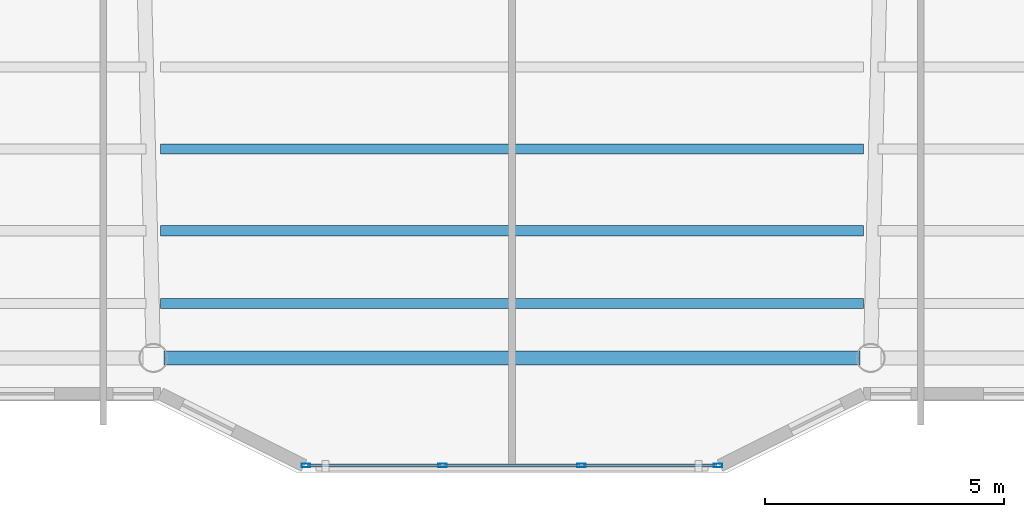
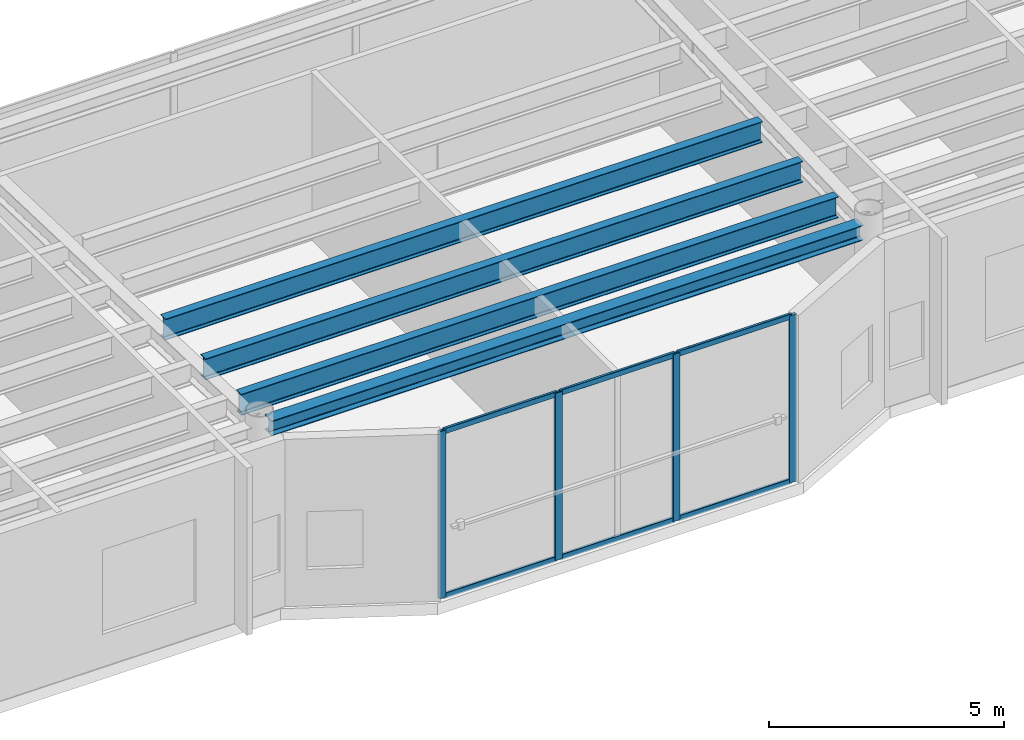
# One storey, part 5 of 34: 10 members, 4 beams, 1 element without a shape of its own.
"""IFC4 building model written with IfcOpenShell, lengths in metres."""

from ifc_helpers import new_model, si_unit, direction, frame, origin, origin_2d, place, context, subcontext, project, spatial, hollow_rectangle, i_section, extrude, material, layer, layer_set, material_profile, profile_set, type_object, element, aggregate, save


model = new_model("IFC4")

# Units and contexts
model_context = context("Model", 3, precision=1e-05, world=origin(), true_north=direction((0.0, 1.0)))
body_context = subcontext(model_context, "Body", "Model", "MODEL_VIEW")
ifc_project = project(units=[si_unit("LENGTHUNIT", "METRE"), si_unit("AREAUNIT", "SQUARE_METRE"), si_unit("VOLUMEUNIT", "CUBIC_METRE"), si_unit("PLANEANGLEUNIT", "RADIAN"), si_unit("MASSUNIT", "GRAM", prefix="KILO")], contexts=[model_context])

# Site, building, storey
site_placement = place(None, origin())
site = spatial("IfcSite", under=ifc_project, at=site_placement, CompositionType="ELEMENT")
building_placement = place(site_placement, origin())
building = spatial("IfcBuilding", under=site, at=building_placement, Name="Tarnavaz Court Tower", CompositionType="ELEMENT")
storey_placement = place(building_placement, frame((0.0, 0.0, 231.75)))
storey = spatial("IfcBuildingStorey", under=building, at=storey_placement, Name="L63", CompositionType="ELEMENT", Elevation=231.75)

# Beams
ifc_material_1 = material(Name="Steel S355", Category="steel")
ifc_material_profile_1 = material_profile(ifc_material_1, i_section(OverallWidth=0.2099609375, OverallDepth=0.550048828125, WebThickness=0.010986328125, FlangeThickness=0.01708984375, FilletRadius=0.02392578125, at=origin_2d()), Name="IPE 550")
ifc_profile_set_1 = profile_set([ifc_material_profile_1], Name="Steel S355")
beam_type_1 = type_object("IfcBeamType", Name="BM-J-IPE550", PredefinedType="JOIST", material=ifc_profile_set_1)
for number, where, z_axis, x_axis, name in (
    (1, (-7.35009765625, -15.72998046875, 4.074951171875), (1.0, 0.0, 0.0), (0.0, 1.0, 0.0), "L63 Beam JS3-2"),
    (2, (-7.35009765625, -17.43994140625, 4.074951171875), (1.0, 0.0, 0.0), (0.0, 1.0, 0.0), "L63 Beam JS4-2"),
    (3, (-7.35009765625, -18.9599609375, 4.074951171875), (1.0, 0.0, 0.0), (0.0, 1.0, 0.0), "L63 Beam JS5-2"),
):
    element("IfcBeam", number, at=place(storey_placement, frame(where, z_axis=z_axis, x_axis=x_axis)), inside=storey, type_object=beam_type_1, Name=name, PredefinedType="JOIST", context=body_context, shape_type="SweptSolid", body=[
        extrude(i_section(OverallWidth=0.2099609375, OverallDepth=0.550048828125, WebThickness=0.010986328125, FlangeThickness=0.01708984375, FilletRadius=0.02392578125, at=origin_2d()), origin(), (0.0, 0.0, 1.0), 14.7001953125),
    ])
ifc_material_profile_2 = material_profile(ifc_material_1, i_section(OverallWidth=0.300048828125, OverallDepth=0.389892578125, WebThickness=0.010986328125, FlangeThickness=0.01904296875, FilletRadius=0.027099609375, at=origin_2d()), Name="HEA 400")
ifc_profile_set_2 = profile_set([ifc_material_profile_2], Name="Steel S355")
beam_type_2 = type_object("IfcBeamType", Name="BM-SP-HEA400", PredefinedType="BEAM", material=ifc_profile_set_2)
beam_placement = place(storey_placement, frame((-7.280029296875, -20.10009765625, 4.155029296875), z_axis=(1.0, 0.0, 0.0), x_axis=(0.0, 1.0, 0.0)))
element("IfcBeam", 4, at=beam_placement, inside=storey, type_object=beam_type_2, Name="L63 Beam PR-PS-2-PS-3", PredefinedType="BEAM", context=body_context, shape_type="SweptSolid", body=[
    extrude(i_section(OverallWidth=0.300048828125, OverallDepth=0.389892578125, WebThickness=0.010986328125, FlangeThickness=0.01904296875, FilletRadius=0.027099609375, at=origin_2d()), origin(), (0.0, 0.0, 1.0), 14.56005859375),
])

# Curtain wall, members
ifc_material_2 = material(Name="Anodised Aluminium 6063-T6 and Solar Low-E Glazing", Category="aluminium")
ifc_layer = layer(ifc_material_2, 0.159912109375)
ifc_layer_set = layer_set([ifc_layer], Name="Anodised Aluminium 6063-T6 and Solar Low-E Glazing")
curtain_wall_type = type_object("IfcCurtainWallType", Name="CW-SYS-03", PredefinedType="NOTDEFINED", material=ifc_layer_set)
curtain_wall_placement = place(storey_placement, origin())
curtain_wall = element("IfcCurtainWall", 5, at=curtain_wall_placement, inside=storey, type_object=curtain_wall_type, Name="L63 Iwan Prow Curtain Wall 17", PredefinedType="NOTDEFINED")
ifc_material_3 = material(Name="Anodised Aluminium 6063-T6", Category="aluminium")
ifc_material_profile_3 = material_profile(ifc_material_3, hollow_rectangle(XDim=0.074951171875, YDim=0.179931640625, WallThickness=0.0048828125, InnerFilletRadius=0.0048828125, OuterFilletRadius=0.010009765625, at=origin_2d()), Name="ALU RHS 180X75X5")
ifc_profile_set_3 = profile_set([ifc_material_profile_3], Name="Anodised Aluminium 6063-T6")
member_type_1 = type_object("IfcMemberType", Name="CW-MUL-180", PredefinedType="MULLION", material=ifc_profile_set_3)
member_1_placement = place(storey_placement, frame((4.3125, -22.35009765625, 0.0), z_axis=(0.0, 0.0, 1.0), x_axis=(0.0, -1.0, 0.0)))
member_1 = element("IfcMember", 6, at=member_1_placement, type_object=member_type_1, Name="CW mullion 1", PredefinedType="MULLION", context=body_context, shape_type="SweptSolid", body=[
    extrude(hollow_rectangle(XDim=0.074951171875, YDim=0.179931640625, WallThickness=0.0048828125, InnerFilletRadius=0.0048828125, OuterFilletRadius=0.010009765625, at=origin_2d()), origin(), (0.0, 0.0, 1.0), 4.35009765625),
])
member_2_placement = place(storey_placement, frame((1.449951171875, -22.35009765625, 0.0), z_axis=(0.0, 0.0, 1.0), x_axis=(0.0, -1.0, 0.0)))
member_2 = element("IfcMember", 7, at=member_2_placement, type_object=member_type_1, Name="CW mullion 2", PredefinedType="MULLION", context=body_context, shape_type="SweptSolid", body=[
    extrude(hollow_rectangle(XDim=0.074951171875, YDim=0.179931640625, WallThickness=0.0048828125, InnerFilletRadius=0.0048828125, OuterFilletRadius=0.010009765625, at=origin_2d()), origin(), (0.0, 0.0, 1.0), 4.35009765625),
])
member_3_placement = place(storey_placement, frame((-1.449951171875, -22.35009765625, 0.0), z_axis=(0.0, 0.0, 1.0), x_axis=(0.0, -1.0, 0.0)))
member_3 = element("IfcMember", 8, at=member_3_placement, type_object=member_type_1, Name="CW mullion 3", PredefinedType="MULLION", context=body_context, shape_type="SweptSolid", body=[
    extrude(hollow_rectangle(XDim=0.074951171875, YDim=0.179931640625, WallThickness=0.0048828125, InnerFilletRadius=0.0048828125, OuterFilletRadius=0.010009765625, at=origin_2d()), origin(), (0.0, 0.0, 1.0), 4.35009765625),
])
member_4_placement = place(storey_placement, frame((-4.3125, -22.35009765625, 0.0), z_axis=(0.0, 0.0, 1.0), x_axis=(0.0, -1.0, 0.0)))
member_4 = element("IfcMember", 9, at=member_4_placement, type_object=member_type_1, Name="CW mullion 4", PredefinedType="MULLION", context=body_context, shape_type="SweptSolid", body=[
    extrude(hollow_rectangle(XDim=0.074951171875, YDim=0.179931640625, WallThickness=0.0048828125, InnerFilletRadius=0.0048828125, OuterFilletRadius=0.010009765625, at=origin_2d()), origin(), (0.0, 0.0, 1.0), 4.35009765625),
])
ifc_material_profile_4 = material_profile(ifc_material_3, hollow_rectangle(XDim=0.06494140625, YDim=0.139892578125, WallThickness=0.00390625, InnerFilletRadius=0.00390625, OuterFilletRadius=0.008056640625, at=origin_2d()), Name="ALU RHS 140X65X4")
ifc_profile_set_4 = profile_set([ifc_material_profile_4], Name="Anodised Aluminium 6063-T6")
member_type_2 = type_object("IfcMemberType", Name="CW-TRN-140", PredefinedType="USERDEFINED", material=ifc_profile_set_4)
member_5_placement = place(storey_placement, frame((4.27490234375, -22.35009765625, 0.032470703125), z_axis=(-1.0, 0.0, 0.0), x_axis=(0.0, -1.0, 0.0)))
member_5 = element("IfcMember", 10, at=member_5_placement, type_object=member_type_2, Name="CW transom 1.1", ObjectType="TRANSOM", PredefinedType="USERDEFINED", context=body_context, shape_type="SweptSolid", body=[
    extrude(hollow_rectangle(XDim=0.06494140625, YDim=0.139892578125, WallThickness=0.00390625, InnerFilletRadius=0.00390625, OuterFilletRadius=0.008056640625, at=origin_2d()), origin(), (0.0, 0.0, 1.0), 2.787353515625),
])
member_6_placement = place(storey_placement, frame((4.27490234375, -22.35009765625, 4.3173828125), z_axis=(-1.0, 0.0, 0.0), x_axis=(0.0, -1.0, 0.0)))
member_6 = element("IfcMember", 11, at=member_6_placement, type_object=member_type_2, Name="CW transom 1.2", ObjectType="TRANSOM", PredefinedType="USERDEFINED", context=body_context, shape_type="SweptSolid", body=[
    extrude(hollow_rectangle(XDim=0.06494140625, YDim=0.139892578125, WallThickness=0.00390625, InnerFilletRadius=0.00390625, OuterFilletRadius=0.008056640625, at=origin_2d()), origin(), (0.0, 0.0, 1.0), 2.787353515625),
])
member_7_placement = place(storey_placement, frame((1.41259765625, -22.35009765625, 0.032470703125), z_axis=(-1.0, 0.0, 0.0), x_axis=(0.0, -1.0, 0.0)))
member_7 = element("IfcMember", 12, at=member_7_placement, type_object=member_type_2, Name="CW transom 2.1", ObjectType="TRANSOM", PredefinedType="USERDEFINED", context=body_context, shape_type="SweptSolid", body=[
    extrude(hollow_rectangle(XDim=0.06494140625, YDim=0.139892578125, WallThickness=0.00390625, InnerFilletRadius=0.00390625, OuterFilletRadius=0.008056640625, at=origin_2d()), origin(), (0.0, 0.0, 1.0), 2.8251953125),
])
member_8_placement = place(storey_placement, frame((1.41259765625, -22.35009765625, 4.3173828125), z_axis=(-1.0, 0.0, 0.0), x_axis=(0.0, -1.0, 0.0)))
member_8 = element("IfcMember", 13, at=member_8_placement, type_object=member_type_2, Name="CW transom 2.2", ObjectType="TRANSOM", PredefinedType="USERDEFINED", context=body_context, shape_type="SweptSolid", body=[
    extrude(hollow_rectangle(XDim=0.06494140625, YDim=0.139892578125, WallThickness=0.00390625, InnerFilletRadius=0.00390625, OuterFilletRadius=0.008056640625, at=origin_2d()), origin(), (0.0, 0.0, 1.0), 2.8251953125),
])
member_9_placement = place(storey_placement, frame((-1.487548828125, -22.35009765625, 0.032470703125), z_axis=(-1.0, 0.0, 0.0), x_axis=(0.0, -1.0, 0.0)))
member_9 = element("IfcMember", 14, at=member_9_placement, type_object=member_type_2, Name="CW transom 3.1", ObjectType="TRANSOM", PredefinedType="USERDEFINED", context=body_context, shape_type="SweptSolid", body=[
    extrude(hollow_rectangle(XDim=0.06494140625, YDim=0.139892578125, WallThickness=0.00390625, InnerFilletRadius=0.00390625, OuterFilletRadius=0.008056640625, at=origin_2d()), origin(), (0.0, 0.0, 1.0), 2.787353515625),
])
member_10_placement = place(storey_placement, frame((-1.487548828125, -22.35009765625, 4.3173828125), z_axis=(-1.0, 0.0, 0.0), x_axis=(0.0, -1.0, 0.0)))
member_10 = element("IfcMember", 15, at=member_10_placement, type_object=member_type_2, Name="CW transom 3.2", ObjectType="TRANSOM", PredefinedType="USERDEFINED", context=body_context, shape_type="SweptSolid", body=[
    extrude(hollow_rectangle(XDim=0.06494140625, YDim=0.139892578125, WallThickness=0.00390625, InnerFilletRadius=0.00390625, OuterFilletRadius=0.008056640625, at=origin_2d()), origin(), (0.0, 0.0, 1.0), 2.787353515625),
])
aggregate(curtain_wall, [member_1, member_2, member_3, member_4, member_5, member_6, member_7, member_8, member_9, member_10])

save(model, "model.ifc")
